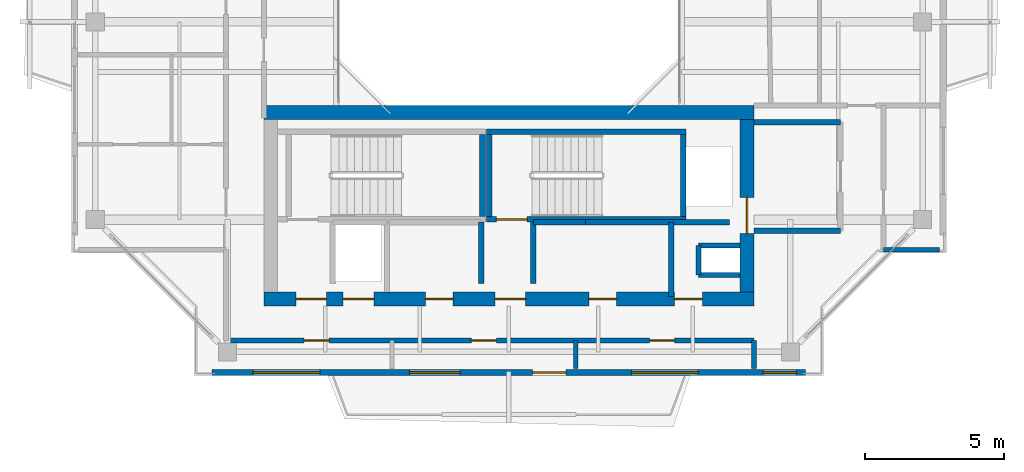
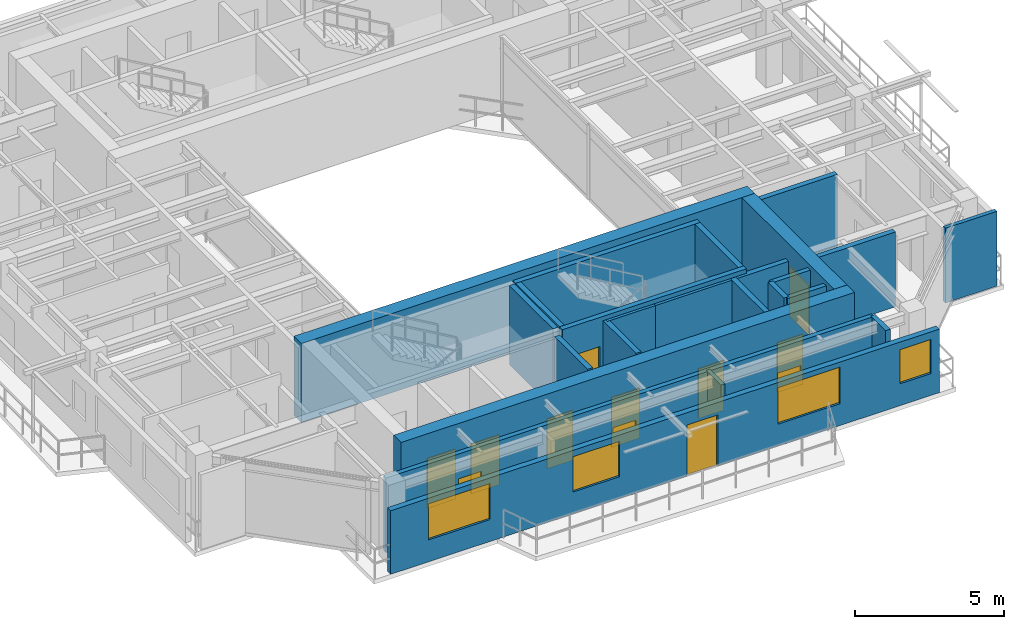
# One storey, part 9 of 15: 23 walls, 12 doors, 4 windows, 16 openings.
"""IFC4 building model written with IfcOpenShell, lengths in metres."""

from ifc_helpers import new_model, si_unit, direction, frame, frame_2d, origin, place, context, subcontext, project, spatial, rectangle, extrude, source, transform, mapped, material, layer, layer_set, type_object, element, fill, save


model = new_model("IFC4")

# Units and contexts
model_context = context("Model", 3, precision=1e-05, world=origin(), true_north=direction((0.0, 1.0)))
body_context = subcontext(model_context, "Body", "Model", "MODEL_VIEW")
ifc_project = project(units=[si_unit("LENGTHUNIT", "METRE"), si_unit("AREAUNIT", "SQUARE_METRE"), si_unit("VOLUMEUNIT", "CUBIC_METRE"), si_unit("PLANEANGLEUNIT", "RADIAN"), si_unit("MASSUNIT", "GRAM", prefix="KILO"), si_unit("THERMODYNAMICTEMPERATUREUNIT", "KELVIN"), si_unit("POWERUNIT", "WATT")], contexts=[model_context])

# Site, building, storey
site_placement = place(None, origin())
site = spatial("IfcSite", under=ifc_project, at=site_placement, CompositionType="ELEMENT")
building_placement = place(site_placement, origin())
building = spatial("IfcBuilding", under=site, at=building_placement, Name="Qiaomeng Ring Towers", CompositionType="ELEMENT")
storey_placement = place(building_placement, frame((0.0, 0.0, 256.75)))
storey = spatial("IfcBuildingStorey", under=building, at=storey_placement, Name="L75", CompositionType="ELEMENT", Elevation=256.75)

# Wall, openings, windows, door
ifc_material_1 = material(Name="Precast concrete C40", Category="concrete")
ifc_layer_1 = layer(ifc_material_1, 0.219970703125, Name="Precast concrete C40")
ifc_layer_set_1 = layer_set([ifc_layer_1], Name="Precast concrete C40")
wall_type_1 = type_object("IfcWallType", Name="ARC-WL-EW2", PredefinedType="STANDARD", material=ifc_layer_set_1)
wall_1_placement = place(storey_placement, frame((8.35009765625, 7.409912109375, 0.0), z_axis=(0.0, 0.0, 1.0), x_axis=(1.0, 0.0, 0.0)))
wall_1 = element("IfcWall", 1, at=wall_1_placement, inside=storey, type_object=wall_type_1, Name="L75 Tower 1 S Exterior Wall", PredefinedType="STANDARD", context=body_context, shape_type="SweptSolid", body=[
    extrude(rectangle(XDim=21.2998046875, YDim=0.219970703125, at=frame_2d((10.64990234375, 0.0))), origin(), (0.0, 0.0, 1.0), 2.610107421875),
])
opening_1_placement = place(wall_1_placement, frame((11.5, 0.0, 0.0)))
opening_1 = element("IfcOpeningElement", 2, at=opening_1_placement, cuts=wall_1, Name="Opening BD1", PredefinedType="OPENING", context=body_context, shape_type="SweptSolid", body=[
    extrude(rectangle(XDim=1.199951171875, YDim=2.10009765625, at=frame_2d((0.60009765625, 1.050048828125))), frame((0.0, 0.119873046875, 0.0), z_axis=(0.0, -1.0, 0.0), x_axis=(1.0, 0.0, 0.0)), (0.0, 0.0, 1.0), 0.239990234375),
])
opening_2_placement = place(wall_1_placement, frame((1.462890625, 0.0, 0.89990234375)))
opening_2 = element("IfcOpeningElement", 3, at=opening_2_placement, cuts=wall_1, Name="Opening WN6", PredefinedType="OPENING", context=body_context, shape_type="SweptSolid", body=[
    extrude(rectangle(XDim=2.39990234375, YDim=1.47998046875, at=frame_2d((1.199951171875, 0.739990234375))), frame((0.0, 0.119873046875, 0.0), z_axis=(0.0, -1.0, 0.0), x_axis=(1.0, 0.0, 0.0)), (0.0, 0.0, 1.0), 0.239990234375),
])
opening_3_placement = place(wall_1_placement, frame((7.087890625, 0.0, 0.89990234375)))
opening_3 = element("IfcOpeningElement", 4, at=opening_3_placement, cuts=wall_1, Name="Opening WN1", PredefinedType="OPENING", context=body_context, shape_type="SweptSolid", body=[
    extrude(rectangle(XDim=1.800048828125, YDim=1.449951171875, at=frame_2d((0.89990234375, 0.72509765625))), frame((0.0, 0.119873046875, 0.0), z_axis=(0.0, -1.0, 0.0), x_axis=(1.0, 0.0, 0.0)), (0.0, 0.0, 1.0), 0.239990234375),
])
opening_4_placement = place(wall_1_placement, frame((19.77490234375, 0.0, 0.89990234375)))
opening_4 = element("IfcOpeningElement", 5, at=opening_4_placement, cuts=wall_1, Name="Opening WN3", PredefinedType="OPENING", context=body_context, shape_type="SweptSolid", body=[
    extrude(rectangle(XDim=1.199951171875, YDim=1.39990234375, at=frame_2d((0.60009765625, 0.699951171875))), frame((0.0, 0.119873046875, 0.0), z_axis=(0.0, -1.0, 0.0), x_axis=(1.0, 0.0, 0.0)), (0.0, 0.0, 1.0), 0.239990234375),
])
opening_5_placement = place(wall_1_placement, frame((15.04248046875, 0.0, 0.89990234375)))
opening_5 = element("IfcOpeningElement", 6, at=opening_5_placement, cuts=wall_1, Name="Opening WN6", PredefinedType="OPENING", context=body_context, shape_type="SweptSolid", body=[
    extrude(rectangle(XDim=2.39990234375, YDim=1.5, at=frame_2d((1.199951171875, 0.75))), frame((0.0, 0.119873046875, 0.0), z_axis=(0.0, -1.0, 0.0), x_axis=(1.0, 0.0, 0.0)), (0.0, 0.0, 1.0), 0.239990234375),
])
ifc_material_2 = material(Name="Low-E dark-grey laminated double glazing", Category="glass")
window_type_1 = type_object("IfcWindowType", Name="ARC-WN-1", PartitioningType="DOUBLE_PANEL_VERTICAL", PredefinedType="WINDOW", material=ifc_material_2)
shared_shape_1 = source(origin(), body_context, "Body", "SweptSolid", [
    extrude(rectangle(XDim=1.800048828125, YDim=1.449951171875, at=frame_2d((0.89990234375, 0.72509765625))), frame((0.0, 0.030029296875, 0.0), z_axis=(0.0, -1.0, 0.0), x_axis=(1.0, 0.0, 0.0)), (0.0, 0.0, 1.0), 0.06005859375),
])
window_1_placement = place(opening_3_placement, origin())
window_1 = element("IfcWindow", 7, at=window_1_placement, inside=storey, type_object=window_type_1, Name="L75 Exterior Window WN1", OverallHeight=1.449951171875, OverallWidth=1.800048828125, PartitioningType="DOUBLE_PANEL_VERTICAL", PredefinedType="WINDOW", context=body_context, shape_type="MappedRepresentation", body=[
    mapped(shared_shape_1, transform((0.0, 0.0, 0.0), x_axis=(1.0, 0.0, 0.0), y_axis=(0.0, 1.0, 0.0), z_axis=(0.0, 0.0, 1.0), scale=1.0)),
])
fill(opening_3, window_1)
window_type_2 = type_object("IfcWindowType", Name="ARC-WN-6", PartitioningType="TRIPLE_PANEL_VERTICAL", PredefinedType="WINDOW", material=ifc_material_2)
shared_shape_2 = source(origin(), body_context, "Body", "SweptSolid", [
    extrude(rectangle(XDim=2.39990234375, YDim=1.47998046875, at=frame_2d((1.199951171875, 0.739990234375))), frame((0.0, 0.030029296875, 0.0), z_axis=(0.0, -1.0, 0.0), x_axis=(1.0, 0.0, 0.0)), (0.0, 0.0, 1.0), 0.06005859375),
])
window_2_placement = place(opening_2_placement, origin())
window_2 = element("IfcWindow", 8, at=window_2_placement, inside=storey, type_object=window_type_2, Name="L75 Exterior Window WN6", OverallHeight=1.47998046875, OverallWidth=2.39990234375, PartitioningType="TRIPLE_PANEL_VERTICAL", PredefinedType="WINDOW", context=body_context, shape_type="MappedRepresentation", body=[
    mapped(shared_shape_2, transform((0.0, 0.0, 0.0), x_axis=(1.0, 0.0, 0.0), y_axis=(0.0, 1.0, 0.0), z_axis=(0.0, 0.0, 1.0), scale=1.0)),
])
fill(opening_2, window_2)
door_type_1 = type_object("IfcDoorType", Name="ARC-DR-BD1", OperationType="NOTDEFINED", PredefinedType="DOOR", material=ifc_material_2)
shared_shape_3 = source(origin(), body_context, "Body", "SweptSolid", [
    extrude(rectangle(XDim=1.199951171875, YDim=2.10009765625, at=frame_2d((0.60009765625, 1.050048828125))), frame((0.0, 0.02490234375, 0.0), z_axis=(0.0, -1.0, 0.0), x_axis=(1.0, 0.0, 0.0)), (0.0, 0.0, 1.0), 0.050048828125),
])
door_1_placement = place(opening_1_placement, frame((1.199951171875, 0.0, 0.0), z_axis=(0.0, 0.0, 1.0), x_axis=(-1.0, 0.0, 0.0)))
door_1 = element("IfcDoor", 9, at=door_1_placement, inside=storey, type_object=door_type_1, Name="L75 S Balcony Glazed Door", OperationType="SINGLE_SWING_LEFT", OverallHeight=2.10009765625, OverallWidth=1.199951171875, PredefinedType="DOOR", context=body_context, shape_type="MappedRepresentation", body=[
    mapped(shared_shape_3, transform((0.0, 0.0, 0.0), x_axis=(1.0, 0.0, 0.0), y_axis=(0.0, 1.0, 0.0), z_axis=(0.0, 0.0, 1.0), scale=1.0)),
])
fill(opening_1, door_1)
shared_shape_4 = source(origin(), body_context, "Body", "SweptSolid", [
    extrude(rectangle(XDim=2.39990234375, YDim=1.5, at=frame_2d((1.199951171875, 0.75))), frame((0.0, 0.030029296875, 0.0), z_axis=(0.0, -1.0, 0.0), x_axis=(1.0, 0.0, 0.0)), (0.0, 0.0, 1.0), 0.06005859375),
])
window_3_placement = place(opening_5_placement, origin())
window_3 = element("IfcWindow", 10, at=window_3_placement, inside=storey, type_object=window_type_2, Name="L75 Exterior Window WN6", OverallHeight=1.5, OverallWidth=2.39990234375, PartitioningType="TRIPLE_PANEL_VERTICAL", PredefinedType="WINDOW", context=body_context, shape_type="MappedRepresentation", body=[
    mapped(shared_shape_4, transform((0.0, 0.0, 0.0), x_axis=(1.0, 0.0, 0.0), y_axis=(0.0, 1.0, 0.0), z_axis=(0.0, 0.0, 1.0), scale=1.0)),
])
fill(opening_5, window_3)
window_type_3 = type_object("IfcWindowType", Name="ARC-WN-3", PartitioningType="SINGLE_PANEL", PredefinedType="WINDOW", material=ifc_material_2)
shared_shape_5 = source(origin(), body_context, "Body", "SweptSolid", [
    extrude(rectangle(XDim=1.199951171875, YDim=1.39990234375, at=frame_2d((0.60009765625, 0.699951171875))), frame((0.0, 0.030029296875, 0.0), z_axis=(0.0, -1.0, 0.0), x_axis=(1.0, 0.0, 0.0)), (0.0, 0.0, 1.0), 0.06005859375),
])
window_4_placement = place(opening_4_placement, origin())
window_4 = element("IfcWindow", 11, at=window_4_placement, inside=storey, type_object=window_type_3, Name="L75 Exterior Window WN4", OverallHeight=1.39990234375, OverallWidth=1.199951171875, PartitioningType="TRIPLE_PANEL_VERTICAL", PredefinedType="WINDOW", context=body_context, shape_type="MappedRepresentation", body=[
    mapped(shared_shape_5, transform((0.0, 0.0, 0.0), x_axis=(1.0, 0.0, 0.0), y_axis=(0.0, 1.0, 0.0), z_axis=(0.0, 0.0, 1.0), scale=1.0)),
])
fill(opening_4, window_4)

# Walls
ifc_material_3 = material(Name="Autoclaved aerated concrete block", Category="concrete")
ifc_layer_2 = layer(ifc_material_3, 0.199951171875, Name="Autoclaved aerated concrete block")
ifc_layer_set_2 = layer_set([ifc_layer_2], Name="Autoclaved aerated concrete block")
wall_type_2 = type_object("IfcWallType", Name="ARC-WL-PW1", PredefinedType="PARTITIONING", material=ifc_layer_set_2)
for number, where, z_axis, x_axis, name in (
    (12, (27.800048828125, 16.39990234375, 0.0), (0.0, 0.0, 1.0), (1.0, 0.0, 0.0), "L75 Interior Wall PW1"),
    (13, (27.800048828125, 12.5, 0.0), (0.0, 0.0, 1.0), (1.0, 0.0, 0.0), "L75 Interior Wall PW1"),
):
    element("IfcWall", number, at=place(storey_placement, frame(where, z_axis=z_axis, x_axis=x_axis)), inside=storey, type_object=wall_type_2, Name=name, PredefinedType="PARTITIONING", context=body_context, shape_type="SweptSolid", body=[
        extrude(rectangle(XDim=3.099853515625, YDim=0.199951171875, at=frame_2d((1.5498046875, 0.0))), origin(), (0.0, 0.0, 1.0), 3.070068359375),
    ])
for number, where, z_axis, x_axis, name in (
    (14, (18.0, 10.60009765625, 0.0), (0.0, 0.0, 1.0), (0.0, 1.0, 0.0), "L75 Interior Wall PW1"),
    (15, (19.8798828125, 10.60009765625, 0.0), (0.0, 0.0, 1.0), (0.0, 1.0, 0.0), "L75 Interior Wall PW1"),
):
    element("IfcWall", number, at=place(storey_placement, frame(where, z_axis=z_axis, x_axis=x_axis)), inside=storey, type_object=wall_type_2, Name=name, PredefinedType="PARTITIONING", context=body_context, shape_type="SweptSolid", body=[
        extrude(rectangle(XDim=2.2099609375, YDim=0.199951171875, at=frame_2d((1.10498046875, 0.0))), origin(), (0.0, 0.0, 1.0), 3.070068359375),
    ])
wall_2_placement = place(storey_placement, frame((24.820068359375, 10.14990234375, 0.0), z_axis=(0.0, 0.0, 1.0), x_axis=(0.0, 1.0, 0.0)))
element("IfcWall", 16, at=wall_2_placement, inside=storey, type_object=wall_type_2, Name="L75 Interior Wall PW1", PredefinedType="PARTITIONING", context=body_context, shape_type="SweptSolid", body=[
    extrude(rectangle(XDim=2.650146484375, YDim=0.199951171875, at=frame_2d((1.3251953125, 0.0))), origin(), (0.0, 0.0, 1.0), 3.070068359375),
])
wall_3_placement = place(storey_placement, frame((19.8798828125, 12.800048828125, 0.0), z_axis=(0.0, 0.0, 1.0), x_axis=(1.0, 0.0, 0.0)))
element("IfcWall", 17, at=wall_3_placement, inside=storey, type_object=wall_type_2, Name="L75 Interior Wall PW1", PredefinedType="PARTITIONING", context=body_context, shape_type="SweptSolid", body=[
    extrude(rectangle(XDim=1.8701171875, YDim=0.199951171875, at=frame_2d((0.93505859375, 0.0))), origin(), (0.0, 0.0, 1.0), 3.070068359375),
])
wall_4_placement = place(storey_placement, frame((21.75, 12.800048828125, 0.0), z_axis=(0.0, 0.0, 1.0), x_axis=(1.0, 0.0, 0.0)))
element("IfcWall", 18, at=wall_4_placement, inside=storey, type_object=wall_type_2, Name="L75 Interior Wall PW1", PredefinedType="PARTITIONING", context=body_context, shape_type="SweptSolid", body=[
    extrude(rectangle(XDim=5.169921875, YDim=0.199951171875, at=frame_2d((2.5849609375, 0.0))), origin(), (0.0, 0.0, 1.0), 3.070068359375),
])
ifc_layer_3 = layer(ifc_material_3, 0.179931640625, Name="Autoclaved aerated concrete block")
ifc_layer_set_3 = layer_set([ifc_layer_3], Name="Autoclaved aerated concrete block")
wall_type_3 = type_object("IfcWallType", Name="ARC-WL-PW2", PredefinedType="PARTITIONING", material=ifc_layer_set_3)
wall_5_placement = place(storey_placement, frame((27.800048828125, 7.550048828125, 0.0), z_axis=(0.0, 0.0, 1.0), x_axis=(0.0, 1.0, 0.0)))
element("IfcWall", 19, at=wall_5_placement, inside=storey, type_object=wall_type_3, Name="L75 Interior Wall PW2", PredefinedType="PARTITIONING", context=body_context, shape_type="SweptSolid", body=[
    extrude(rectangle(XDim=1.010009765625, YDim=0.179931640625, at=frame_2d((0.5048828125, 0.0))), origin(), (0.0, 0.0, 1.0), 3.070068359375),
])

# Wall, openings, doors
wall_6_placement = place(storey_placement, frame((8.85009765625, 8.56005859375, 0.0), z_axis=(0.0, 0.0, 1.0), x_axis=(1.0, 0.0, 0.0)))
wall_6 = element("IfcWall", 20, at=wall_6_placement, inside=storey, type_object=wall_type_3, Name="L75 Interior Wall PW2", PredefinedType="PARTITIONING", context=body_context, shape_type="SweptSolid", body=[
    extrude(rectangle(XDim=18.949951171875, YDim=0.179931640625, at=frame_2d((9.47509765625, 0.0))), origin(), (0.0, 0.0, 1.0), 3.070068359375),
])
opening_6_placement = place(wall_6_placement, frame((2.800048828125, 0.0, 0.0)))
opening_6 = element("IfcOpeningElement", 21, at=opening_6_placement, cuts=wall_6, Name="Opening ID1", PredefinedType="OPENING", context=body_context, shape_type="SweptSolid", body=[
    extrude(rectangle(XDim=0.89990234375, YDim=2.050048828125, at=frame_2d((0.449951171875, 1.02490234375))), frame((0.0, 0.099853515625, 0.0), z_axis=(0.0, -1.0, 0.0), x_axis=(1.0, 0.0, 0.0)), (0.0, 0.0, 1.0), 0.199951171875),
])
opening_7_placement = place(wall_6_placement, frame((8.800048828125, 0.0, 0.0)))
opening_7 = element("IfcOpeningElement", 22, at=opening_7_placement, cuts=wall_6, Name="Opening ID1", PredefinedType="OPENING", context=body_context, shape_type="SweptSolid", body=[
    extrude(rectangle(XDim=0.89990234375, YDim=2.050048828125, at=frame_2d((0.449951171875, 1.02490234375))), frame((0.0, 0.099853515625, 0.0), z_axis=(0.0, -1.0, 0.0), x_axis=(1.0, 0.0, 0.0)), (0.0, 0.0, 1.0), 0.199951171875),
])
opening_8_placement = place(wall_6_placement, frame((15.199951171875, 0.0, 0.0)))
opening_8 = element("IfcOpeningElement", 23, at=opening_8_placement, cuts=wall_6, Name="Opening ID1", PredefinedType="OPENING", context=body_context, shape_type="SweptSolid", body=[
    extrude(rectangle(XDim=0.89990234375, YDim=2.050048828125, at=frame_2d((0.449951171875, 1.02490234375))), frame((0.0, 0.099853515625, 0.0), z_axis=(0.0, -1.0, 0.0), x_axis=(1.0, 0.0, 0.0)), (0.0, 0.0, 1.0), 0.199951171875),
])
ifc_material_4 = material(Name="Engineered oak timber", Category="wood")
door_type_2 = type_object("IfcDoorType", Name="ARC-DR-ID1", OperationType="NOTDEFINED", PredefinedType="DOOR", material=ifc_material_4)
shared_shape_6 = source(origin(), body_context, "Body", "SweptSolid", [
    extrude(rectangle(XDim=0.89990234375, YDim=2.050048828125, at=frame_2d((0.449951171875, 1.02490234375))), frame((0.0, 0.02490234375, 0.0), z_axis=(0.0, -1.0, 0.0), x_axis=(1.0, 0.0, 0.0)), (0.0, 0.0, 1.0), 0.050048828125),
])
door_2_placement = place(opening_6_placement, origin())
door_2 = element("IfcDoor", 24, at=door_2_placement, inside=storey, type_object=door_type_2, Name="L75 Door ID1", OperationType="SINGLE_SWING_LEFT", OverallHeight=2.050048828125, OverallWidth=0.89990234375, PredefinedType="DOOR", context=body_context, shape_type="MappedRepresentation", body=[
    mapped(shared_shape_6, transform((0.0, 0.0, 0.0), x_axis=(1.0, 0.0, 0.0), y_axis=(0.0, 1.0, 0.0), z_axis=(0.0, 0.0, 1.0), scale=1.0)),
])
fill(opening_6, door_2)
door_3_placement = place(opening_7_placement, origin())
door_3 = element("IfcDoor", 25, at=door_3_placement, inside=storey, type_object=door_type_2, Name="L75 Door ID1", OperationType="SINGLE_SWING_RIGHT", OverallHeight=2.050048828125, OverallWidth=0.89990234375, PredefinedType="DOOR", context=body_context, shape_type="MappedRepresentation", body=[
    mapped(shared_shape_6, transform((0.0, 0.0, 0.0), x_axis=(1.0, 0.0, 0.0), y_axis=(0.0, 1.0, 0.0), z_axis=(0.0, 0.0, 1.0), scale=1.0)),
])
fill(opening_7, door_3)
door_4_placement = place(opening_8_placement, origin())
door_4 = element("IfcDoor", 26, at=door_4_placement, inside=storey, type_object=door_type_2, Name="L75 Door ID1", OperationType="SINGLE_SWING_LEFT", OverallHeight=2.050048828125, OverallWidth=0.89990234375, PredefinedType="DOOR", context=body_context, shape_type="MappedRepresentation", body=[
    mapped(shared_shape_6, transform((0.0, 0.0, 0.0), x_axis=(1.0, 0.0, 0.0), y_axis=(0.0, 1.0, 0.0), z_axis=(0.0, 0.0, 1.0), scale=1.0)),
])
fill(opening_8, door_4)

# Walls
ifc_material_5 = material(Name="Gypsum fireboard steel-stud partition", Category="steel")
ifc_layer_4 = layer(ifc_material_5, 0.14990234375, Name="Gypsum fireboard steel-stud partition")
ifc_layer_set_4 = layer_set([ifc_layer_4], Name="Gypsum fireboard steel-stud partition")
wall_type_4 = type_object("IfcWallType", Name="ARC-WL-PW3", PredefinedType="PARTITIONING", material=ifc_layer_set_4)
wall_7_placement = place(storey_placement, frame((21.39990234375, 7.550048828125, 0.0), z_axis=(0.0, 0.0, 1.0), x_axis=(0.0, 1.0, 0.0)))
element("IfcWall", 27, at=wall_7_placement, inside=storey, type_object=wall_type_4, Name="L75 Interior Wall PW3", PredefinedType="PARTITIONING", context=body_context, shape_type="SweptSolid", body=[
    extrude(rectangle(XDim=1.010009765625, YDim=0.14990234375, at=frame_2d((0.5048828125, 0.0))), origin(), (0.0, 0.0, 1.0), 3.070068359375),
])
wall_8_placement = place(storey_placement, frame((32.449951171875, 11.820068359375, 0.0), z_axis=(0.0, 0.0, 1.0), x_axis=(1.0, 0.0, 0.0)))
element("IfcWall", 28, at=wall_8_placement, inside=storey, type_object=wall_type_4, Name="L75 Interior Wall PW3", PredefinedType="PARTITIONING", context=body_context, shape_type="SweptSolid", body=[
    extrude(rectangle(XDim=2.0, YDim=0.14990234375, at=frame_2d((1.0, 0.0))), origin(), (0.0, 0.0, 1.0), 3.070068359375),
])
ifc_material_6 = material(Name="Concrete C40", Category="concrete")
ifc_layer_5 = layer(ifc_material_6, 0.199951171875, Name="Concrete C40")
ifc_layer_set_5 = layer_set([ifc_layer_5], Name="Concrete C40")
wall_type_5 = type_object("IfcWallType", Name="STR-WL-STSHAFT", PredefinedType="SHEAR", material=ifc_layer_set_5)
wall_9_placement = place(storey_placement, frame((25.800048828125, 10.919921875, 0.0), z_axis=(0.0, 0.0, 1.0), x_axis=(0.0, 1.0, 0.0)))
element("IfcWall", 29, at=wall_9_placement, inside=storey, type_object=wall_type_5, Name="L75 Riser RSR1 West Shaft Wall S", PredefinedType="SHEAR", context=body_context, shape_type="SweptSolid", body=[
    extrude(rectangle(XDim=1.06005859375, YDim=0.179931640625, at=frame_2d((0.530029296875, 0.0))), origin(), (0.0, 0.0, 1.0), 3.070068359375),
])
for number, where, z_axis, x_axis, name in (
    (30, (25.800048828125, 11.97998046875, 0.0), (0.0, 0.0, 1.0), (1.0, 0.0, 0.0), "L75 Riser RSR1 North Shaft Wall S"),
    (31, (25.800048828125, 10.919921875, 0.0), (0.0, 0.0, 1.0), (1.0, 0.0, 0.0), "L75 Riser RSR1 South Shaft Wall S"),
):
    element("IfcWall", number, at=place(storey_placement, frame(where, z_axis=z_axis, x_axis=x_axis)), inside=storey, type_object=wall_type_5, Name=name, PredefinedType="SHEAR", context=body_context, shape_type="SweptSolid", body=[
        extrude(rectangle(XDim=1.5, YDim=0.179931640625, at=frame_2d((0.75, 0.0))), origin(), (0.0, 0.0, 1.0), 3.070068359375),
    ])
wall_10_placement = place(storey_placement, frame((18.050048828125, 13.010009765625, 0.0), z_axis=(0.0, 0.0, 1.0), x_axis=(0.0, 1.0, 0.0)))
element("IfcWall", 32, at=wall_10_placement, inside=storey, type_object=wall_type_5, Name="L75 Stair ST3 East Shaft Shear Wall", PredefinedType="SHEAR", context=body_context, shape_type="SweptSolid", body=[
    extrude(rectangle(XDim=2.93994140625, YDim=0.199951171875, at=frame_2d((1.469970703125, 0.0))), origin(), (0.0, 0.0, 1.0), 3.25),
])

# Wall, opening, door
wall_11_placement = place(storey_placement, frame((18.199951171875, 12.909912109375, 0.0), z_axis=(0.0, 0.0, 1.0), x_axis=(1.0, 0.0, 0.0)))
wall_11 = element("IfcWall", 33, at=wall_11_placement, inside=storey, type_object=wall_type_5, Name="L75 Stair ST4 South Shaft Shear Wall", PredefinedType="SHEAR", context=body_context, shape_type="SweptSolid", body=[
    extrude(rectangle(XDim=7.150146484375, YDim=0.199951171875, at=frame_2d((3.5751953125, 0.0))), origin(), (0.0, 0.0, 1.0), 3.25),
])
opening_9_placement = place(wall_11_placement, frame((0.35009765625, 0.0, 0.0)))
opening_9 = element("IfcOpeningElement", 34, at=opening_9_placement, cuts=wall_11, Name="Opening FD3", PredefinedType="OPENING", context=body_context, shape_type="SweptSolid", body=[
    extrude(rectangle(XDim=1.10009765625, YDim=2.050048828125, at=frame_2d((0.550048828125, 1.02490234375))), frame((0.0, 0.10986328125, 0.0), z_axis=(0.0, -1.0, 0.0), x_axis=(1.0, 0.0, 0.0)), (0.0, 0.0, 1.0), 0.219970703125),
])
ifc_material_7 = material(Name="Galvanised steel", Category="steel")
door_type_3 = type_object("IfcDoorType", Name="ARC-DR-FD3", OperationType="NOTDEFINED", PredefinedType="DOOR", material=ifc_material_7)
shared_shape_7 = source(origin(), body_context, "Body", "SweptSolid", [
    extrude(rectangle(XDim=1.10009765625, YDim=2.050048828125, at=frame_2d((0.550048828125, 1.02490234375))), frame((0.0, 0.02490234375, 0.0), z_axis=(0.0, -1.0, 0.0), x_axis=(1.0, 0.0, 0.0)), (0.0, 0.0, 1.0), 0.050048828125),
])
door_5_placement = place(opening_9_placement, frame((1.10009765625, 0.0, 0.0), z_axis=(0.0, 0.0, 1.0), x_axis=(-1.0, 0.0, 0.0)))
door_5 = element("IfcDoor", 35, at=door_5_placement, inside=storey, type_object=door_type_3, Name="L75 Stair ST4 Exit Door", OperationType="SINGLE_SWING_RIGHT", OverallHeight=2.050048828125, OverallWidth=1.10009765625, PredefinedType="DOOR", context=body_context, shape_type="MappedRepresentation", body=[
    mapped(shared_shape_7, transform((0.0, 0.0, 0.0), x_axis=(1.0, 0.0, 0.0), y_axis=(0.0, 1.0, 0.0), z_axis=(0.0, 0.0, 1.0), scale=1.0)),
])
fill(opening_9, door_5)

# Walls
wall_12_placement = place(storey_placement, frame((18.199951171875, 16.050048828125, 0.0), z_axis=(0.0, 0.0, 1.0), x_axis=(1.0, 0.0, 0.0)))
element("IfcWall", 36, at=wall_12_placement, inside=storey, type_object=wall_type_5, Name="L75 Stair ST4 North Shaft Shear Wall", PredefinedType="SHEAR", context=body_context, shape_type="SweptSolid", body=[
    extrude(rectangle(XDim=7.150146484375, YDim=0.199951171875, at=frame_2d((3.5751953125, 0.0))), origin(), (0.0, 0.0, 1.0), 3.25),
])
for number, where, z_axis, x_axis, name in (
    (37, (18.300048828125, 13.010009765625, 0.0), (0.0, 0.0, 1.0), (0.0, 1.0, 0.0), "L75 Stair ST4 West Shaft Shear Wall"),
    (38, (25.25, 13.010009765625, 0.0), (0.0, 0.0, 1.0), (0.0, 1.0, 0.0), "L75 Stair ST4 East Shaft Shear Wall"),
):
    element("IfcWall", number, at=place(storey_placement, frame(where, z_axis=z_axis, x_axis=x_axis)), inside=storey, type_object=wall_type_5, Name=name, PredefinedType="SHEAR", context=body_context, shape_type="SweptSolid", body=[
        extrude(rectangle(XDim=2.93994140625, YDim=0.199951171875, at=frame_2d((1.469970703125, 0.0))), origin(), (0.0, 0.0, 1.0), 3.25),
    ])

# Wall, openings, doors
ifc_layer_6 = layer(ifc_material_6, 0.5, Name="Concrete C40")
ifc_layer_set_6 = layer_set([ifc_layer_6], Name="Concrete C40")
wall_type_6 = type_object("IfcWallType", Name="STR-WL-SW3", PredefinedType="SHEAR", material=ifc_layer_set_6)
wall_13_placement = place(storey_placement, frame((10.199951171875, 10.050048828125, 0.0), z_axis=(0.0, 0.0, 1.0), x_axis=(1.0, 0.0, 0.0)))
wall_13 = element("IfcWall", 39, at=wall_13_placement, inside=storey, type_object=wall_type_6, Name="L75 T1SC south core shear wall", PredefinedType="SHEAR", context=body_context, shape_type="SweptSolid", body=[
    extrude(rectangle(XDim=17.60009765625, YDim=0.5, at=frame_2d((8.800048828125, 0.0))), origin(), (0.0, 0.0, 1.0), 3.25),
])
opening_10_placement = place(wall_13_placement, frame((1.14990234375, 0.0, 0.0)))
opening_10 = element("IfcOpeningElement", 40, at=opening_10_placement, cuts=wall_13, Name="Opening FD3", PredefinedType="OPENING", context=body_context, shape_type="SweptSolid", body=[
    extrude(rectangle(XDim=1.10009765625, YDim=2.050048828125, at=frame_2d((0.550048828125, 1.02490234375))), frame((0.0, 0.260009765625, 0.0), z_axis=(0.0, -1.0, 0.0), x_axis=(1.0, 0.0, 0.0)), (0.0, 0.0, 1.0), 0.52001953125),
])
opening_11_placement = place(wall_13_placement, frame((8.300048828125, 0.0, 0.0)))
opening_11 = element("IfcOpeningElement", 41, at=opening_11_placement, cuts=wall_13, Name="Opening FD3", PredefinedType="OPENING", context=body_context, shape_type="SweptSolid", body=[
    extrude(rectangle(XDim=1.10009765625, YDim=2.050048828125, at=frame_2d((0.550048828125, 1.02490234375))), frame((0.0, 0.260009765625, 0.0), z_axis=(0.0, -1.0, 0.0), x_axis=(1.0, 0.0, 0.0)), (0.0, 0.0, 1.0), 0.52001953125),
])
opening_12_placement = place(wall_13_placement, frame((2.85009765625, 0.0, 0.0)))
opening_12 = element("IfcOpeningElement", 42, at=opening_12_placement, cuts=wall_13, Name="Opening LD1", PredefinedType="OPENING", context=body_context, shape_type="SweptSolid", body=[
    extrude(rectangle(XDim=1.10009765625, YDim=2.050048828125, at=frame_2d((0.550048828125, 1.02490234375))), frame((0.0, 0.260009765625, 0.0), z_axis=(0.0, -1.0, 0.0), x_axis=(1.0, 0.0, 0.0)), (0.0, 0.0, 1.0), 0.52001953125),
])
opening_13_placement = place(wall_13_placement, frame((5.800048828125, 0.0, 0.0)))
opening_13 = element("IfcOpeningElement", 43, at=opening_13_placement, cuts=wall_13, Name="Opening FD1", PredefinedType="OPENING", context=body_context, shape_type="SweptSolid", body=[
    extrude(rectangle(XDim=1.0, YDim=2.050048828125, at=frame_2d((0.5, 1.02490234375))), frame((0.0, 0.260009765625, 0.0), z_axis=(0.0, -1.0, 0.0), x_axis=(1.0, 0.0, 0.0)), (0.0, 0.0, 1.0), 0.52001953125),
])
opening_14_placement = place(wall_13_placement, frame((14.739990234375, 0.0, 0.0)))
opening_14 = element("IfcOpeningElement", 44, at=opening_14_placement, cuts=wall_13, Name="Opening FD1", PredefinedType="OPENING", context=body_context, shape_type="SweptSolid", body=[
    extrude(rectangle(XDim=1.0, YDim=2.050048828125, at=frame_2d((0.5, 1.02490234375))), frame((0.0, 0.260009765625, 0.0), z_axis=(0.0, -1.0, 0.0), x_axis=(1.0, 0.0, 0.0)), (0.0, 0.0, 1.0), 0.52001953125),
])
opening_15_placement = place(wall_13_placement, frame((11.669921875, 0.0, 0.0)))
opening_15 = element("IfcOpeningElement", 45, at=opening_15_placement, cuts=wall_13, Name="Opening FD1", PredefinedType="OPENING", context=body_context, shape_type="SweptSolid", body=[
    extrude(rectangle(XDim=1.0, YDim=2.050048828125, at=frame_2d((0.5, 1.02490234375))), frame((0.0, 0.260009765625, 0.0), z_axis=(0.0, -1.0, 0.0), x_axis=(1.0, 0.0, 0.0)), (0.0, 0.0, 1.0), 0.52001953125),
])
door_6_placement = place(opening_10_placement, origin())
door_6 = element("IfcDoor", 46, at=door_6_placement, inside=storey, type_object=door_type_3, Name="L75 Stair ST3 Lobby Door", OperationType="SINGLE_SWING_LEFT", OverallHeight=2.050048828125, OverallWidth=1.10009765625, PredefinedType="DOOR", context=body_context, shape_type="MappedRepresentation", body=[
    mapped(shared_shape_7, transform((0.0, 0.0, 0.0), x_axis=(1.0, 0.0, 0.0), y_axis=(0.0, 1.0, 0.0), z_axis=(0.0, 0.0, 1.0), scale=1.0)),
])
fill(opening_10, door_6)
door_7_placement = place(opening_11_placement, origin())
door_7 = element("IfcDoor", 47, at=door_7_placement, inside=storey, type_object=door_type_3, Name="L75 Stair ST4 Lobby Door", OperationType="SINGLE_SWING_LEFT", OverallHeight=2.050048828125, OverallWidth=1.10009765625, PredefinedType="DOOR", context=body_context, shape_type="MappedRepresentation", body=[
    mapped(shared_shape_7, transform((0.0, 0.0, 0.0), x_axis=(1.0, 0.0, 0.0), y_axis=(0.0, 1.0, 0.0), z_axis=(0.0, 0.0, 1.0), scale=1.0)),
])
fill(opening_11, door_7)
ifc_material_8 = material(Name="Stainless steel 316", Category="steel")
door_type_4 = type_object("IfcDoorType", Name="ARC-DR-LD1", OperationType="NOTDEFINED", PredefinedType="DOOR", material=ifc_material_8)
door_8_placement = place(opening_12_placement, origin())
door_8 = element("IfcDoor", 48, at=door_8_placement, inside=storey, type_object=door_type_4, Name="L75 High-Zone Lift LP6 Landing Door", OperationType="SLIDING_TO_RIGHT", OverallHeight=2.050048828125, OverallWidth=1.10009765625, PredefinedType="DOOR", context=body_context, shape_type="MappedRepresentation", body=[
    mapped(shared_shape_7, transform((0.0, 0.0, 0.0), x_axis=(1.0, 0.0, 0.0), y_axis=(0.0, 1.0, 0.0), z_axis=(0.0, 0.0, 1.0), scale=1.0)),
])
fill(opening_12, door_8)
door_type_5 = type_object("IfcDoorType", Name="ARC-DR-FD1", OperationType="NOTDEFINED", PredefinedType="DOOR", material=ifc_material_7)
shared_shape_8 = source(origin(), body_context, "Body", "SweptSolid", [
    extrude(rectangle(XDim=1.0, YDim=2.050048828125, at=frame_2d((0.5, 1.02490234375))), frame((0.0, 0.02490234375, 0.0), z_axis=(0.0, -1.0, 0.0), x_axis=(1.0, 0.0, 0.0)), (0.0, 0.0, 1.0), 0.050048828125),
])
door_9_placement = place(opening_13_placement, origin())
door_9 = element("IfcDoor", 49, at=door_9_placement, inside=storey, type_object=door_type_5, Name="L75 High-Zone Freed Core Room Door", OperationType="SINGLE_SWING_RIGHT", OverallHeight=2.050048828125, OverallWidth=1.0, PredefinedType="DOOR", context=body_context, shape_type="MappedRepresentation", body=[
    mapped(shared_shape_8, transform((0.0, 0.0, 0.0), x_axis=(1.0, 0.0, 0.0), y_axis=(0.0, 1.0, 0.0), z_axis=(0.0, 0.0, 1.0), scale=1.0)),
])
fill(opening_13, door_9)
door_10_placement = place(opening_14_placement, origin())
door_10 = element("IfcDoor", 50, at=door_10_placement, inside=storey, type_object=door_type_5, Name="L75 South Electrical Riser Door", OperationType="SINGLE_SWING_RIGHT", OverallHeight=2.050048828125, OverallWidth=1.0, PredefinedType="DOOR", context=body_context, shape_type="MappedRepresentation", body=[
    mapped(shared_shape_8, transform((0.0, 0.0, 0.0), x_axis=(1.0, 0.0, 0.0), y_axis=(0.0, 1.0, 0.0), z_axis=(0.0, 0.0, 1.0), scale=1.0)),
])
fill(opening_14, door_10)
door_11_placement = place(opening_15_placement, origin())
door_11 = element("IfcDoor", 51, at=door_11_placement, inside=storey, type_object=door_type_5, Name="L75 South Building Management Office Door", OperationType="SINGLE_SWING_LEFT", OverallHeight=2.050048828125, OverallWidth=1.0, PredefinedType="DOOR", context=body_context, shape_type="MappedRepresentation", body=[
    mapped(shared_shape_8, transform((0.0, 0.0, 0.0), x_axis=(1.0, 0.0, 0.0), y_axis=(0.0, 1.0, 0.0), z_axis=(0.0, 0.0, 1.0), scale=1.0)),
])
fill(opening_15, door_11)

# Wall
wall_14_placement = place(storey_placement, frame((10.199951171875, 16.75, 0.0), z_axis=(0.0, 0.0, 1.0), x_axis=(1.0, 0.0, 0.0)))
element("IfcWall", 52, at=wall_14_placement, inside=storey, type_object=wall_type_6, Name="L75 T1SC north core shear wall", PredefinedType="SHEAR", context=body_context, shape_type="SweptSolid", body=[
    extrude(rectangle(XDim=17.60009765625, YDim=0.5, at=frame_2d((8.800048828125, 0.0))), origin(), (0.0, 0.0, 1.0), 3.25),
])

# Wall, opening, door
wall_15_placement = place(storey_placement, frame((27.550048828125, 10.300048828125, 0.0), z_axis=(0.0, 0.0, 1.0), x_axis=(0.0, 1.0, 0.0)))
wall_15 = element("IfcWall", 53, at=wall_15_placement, inside=storey, type_object=wall_type_6, Name="L75 T1SC east core shear wall", PredefinedType="SHEAR", context=body_context, shape_type="SweptSolid", body=[
    extrude(rectangle(XDim=6.199951171875, YDim=0.5, at=frame_2d((3.10009765625, 0.0))), origin(), (0.0, 0.0, 1.0), 3.25),
])
opening_16_placement = place(wall_15_placement, frame((2.10009765625, 0.0, 0.0)))
opening_16 = element("IfcOpeningElement", 54, at=opening_16_placement, cuts=wall_15, Name="Opening LD2", PredefinedType="OPENING", context=body_context, shape_type="SweptSolid", body=[
    extrude(rectangle(XDim=1.300048828125, YDim=2.050048828125, at=frame_2d((0.64990234375, 1.02490234375))), frame((0.0, 0.260009765625, 0.0), z_axis=(0.0, -1.0, 0.0), x_axis=(1.0, 0.0, 0.0)), (0.0, 0.0, 1.0), 0.52001953125),
])
door_type_6 = type_object("IfcDoorType", Name="ARC-DR-LD2", OperationType="NOTDEFINED", PredefinedType="DOOR", material=ifc_material_8)
shared_shape_9 = source(origin(), body_context, "Body", "SweptSolid", [
    extrude(rectangle(XDim=1.300048828125, YDim=2.050048828125, at=frame_2d((0.64990234375, 1.02490234375))), frame((0.0, 0.02490234375, 0.0), z_axis=(0.0, -1.0, 0.0), x_axis=(1.0, 0.0, 0.0)), (0.0, 0.0, 1.0), 0.050048828125),
])
door_12_placement = place(opening_16_placement, origin())
door_12 = element("IfcDoor", 55, at=door_12_placement, inside=storey, type_object=door_type_6, Name="L75 Firefighting Lift FL2 Landing Door", OperationType="SLIDING_TO_RIGHT", OverallHeight=2.050048828125, OverallWidth=1.300048828125, PredefinedType="DOOR", context=body_context, shape_type="MappedRepresentation", body=[
    mapped(shared_shape_9, transform((0.0, 0.0, 0.0), x_axis=(1.0, 0.0, 0.0), y_axis=(0.0, 1.0, 0.0), z_axis=(0.0, 0.0, 1.0), scale=1.0)),
])
fill(opening_16, door_12)

save(model, "model.ifc")
